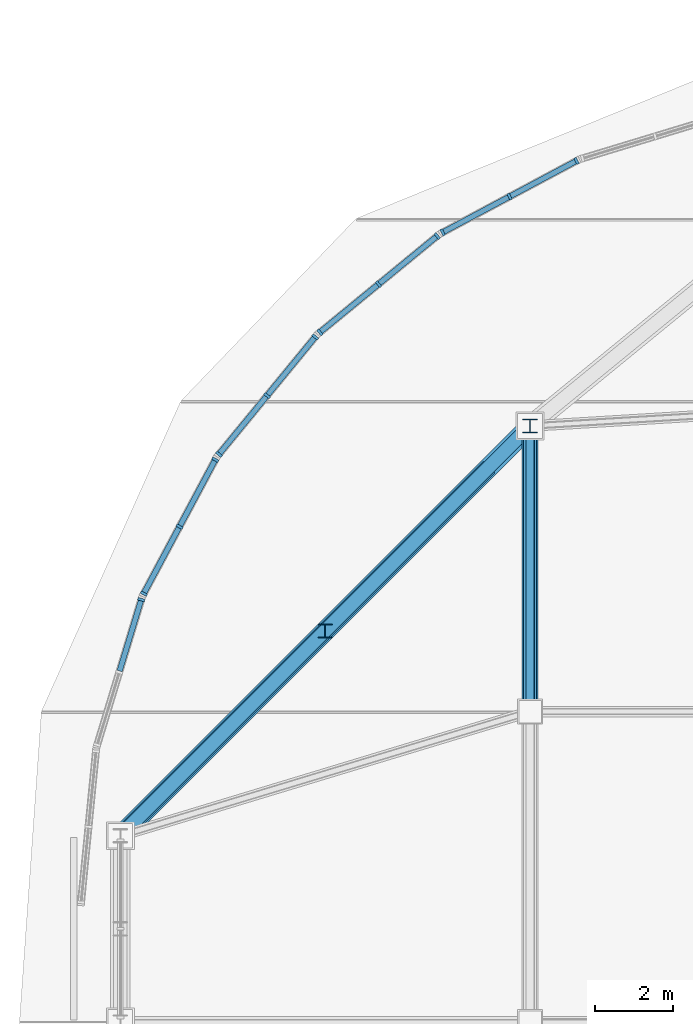
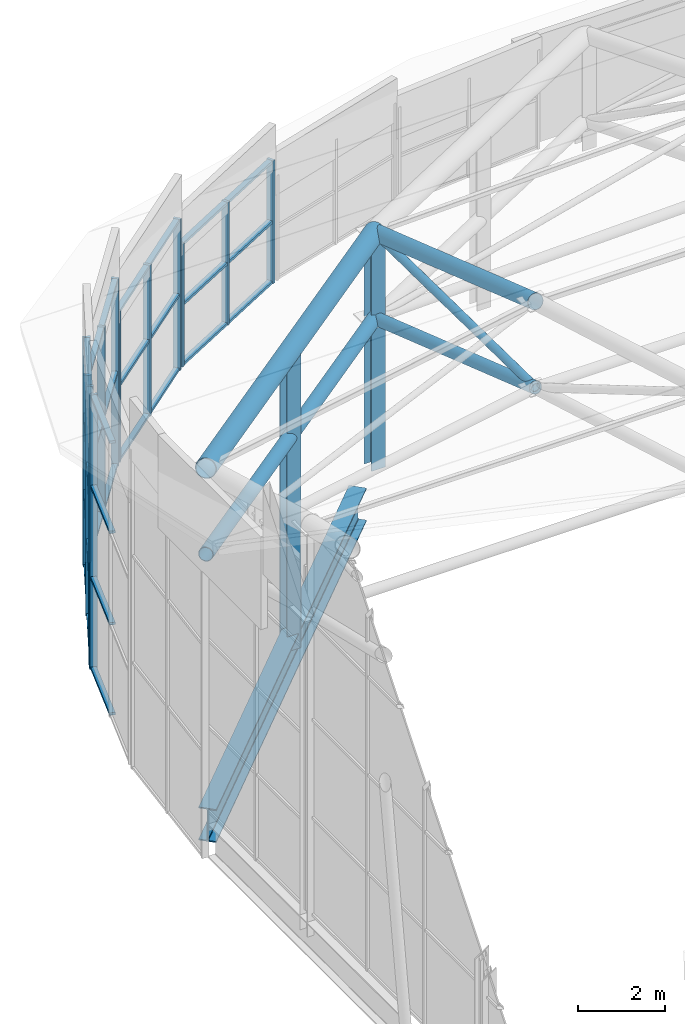
# One storey, part 21 of 42: 50 members, 1 beam, 5 elements without a shape of their own.
"""IFC4 building model written with IfcOpenShell, lengths in metres."""

from ifc_helpers import new_model, si_unit, direction, frame, origin, origin_2d, place, context, subcontext, project, spatial, rectangle, hollow_circle, i_section, extrude, material, layer, layer_set, material_profile, profile_set, type_object, element, aggregate, save


model = new_model("IFC4")

# Units and contexts
model_context = context("Model", 3, precision=1e-05, world=origin(), true_north=direction((0.0, 1.0)))
body_context = subcontext(model_context, "Body", "Model", "MODEL_VIEW")
ifc_project = project(units=[si_unit("LENGTHUNIT", "METRE"), si_unit("AREAUNIT", "SQUARE_METRE"), si_unit("VOLUMEUNIT", "CUBIC_METRE"), si_unit("PLANEANGLEUNIT", "RADIAN"), si_unit("MASSUNIT", "GRAM", prefix="KILO")], contexts=[model_context])

# Site, building, storey
site_placement = place(None, origin())
site = spatial("IfcSite", under=ifc_project, at=site_placement, CompositionType="ELEMENT")
building_placement = place(site_placement, origin())
building = spatial("IfcBuilding", under=site, at=building_placement, Name="Caelomonte Colonnade Arena", CompositionType="ELEMENT")
storey_placement = place(building_placement, frame((0.0, 0.0, 28.199951171875)))
storey = spatial("IfcBuildingStorey", under=building, at=storey_placement, Name="RF", CompositionType="ELEMENT", Elevation=28.199951171875)

# Curtain wall, members
ifc_material_1 = material(Name="Bronze anodised aluminium and low-E glazing", Category="aluminium")
ifc_layer_1 = layer(ifc_material_1, 0.179931640625)
ifc_layer_set_1 = layer_set([ifc_layer_1], Name="Bronze anodised aluminium and low-E glazing")
curtain_wall_type_1 = type_object("IfcCurtainWallType", Name="ENV-CW-CW-TYMPC-03-34", PredefinedType="USERDEFINED", material=ifc_layer_set_1)
curtain_wall_1_placement = place(storey_placement, origin())
curtain_wall_1 = element("IfcCurtainWall", 1, at=curtain_wall_1_placement, inside=storey, type_object=curtain_wall_type_1, Name="Barrel arch rounded corner clerestory curtain wall 19", ObjectType="UNITIZED CURTAIN WALL", PredefinedType="USERDEFINED")
ifc_material_2 = material(Name="Bronze anodised aluminium AA6063-T6", Category="aluminium")
ifc_material_profile_1 = material_profile(ifc_material_2, rectangle(XDim=0.070068359375, YDim=0.179931640625, at=origin_2d()), Name="CWM-70X180")
ifc_profile_set_1 = profile_set([ifc_material_profile_1], Name="Bronze anodised aluminium AA6063-T6")
member_type_1 = type_object("IfcMemberType", Name="ENV-CW-MULL1", PredefinedType="MULLION", material=ifc_profile_set_1)
member_1_placement = place(storey_placement, frame((69.357421875, 113.39501953125, -0.14990234375), z_axis=(0.0, 0.0, 1.0), x_axis=(-0.881924283795, -0.471391087795, 0.0)))
member_1 = element("IfcMember", 2, at=member_1_placement, type_object=member_type_1, Name="CW-TYMPC-03-34 mullion 1", PredefinedType="MULLION", context=body_context, shape_type="SweptSolid", body=[
    extrude(rectangle(XDim=0.070068359375, YDim=0.179931640625, at=origin_2d()), origin(), (0.0, 0.0, 1.0), 3.43994140625),
])
member_2_placement = place(storey_placement, frame((67.6328125, 112.47314453125, -0.14990234375), z_axis=(0.0, 0.0, 1.0), x_axis=(-0.881924283795, -0.471391087795, 0.0)))
member_2 = element("IfcMember", 3, at=member_2_placement, type_object=member_type_1, Name="CW-TYMPC-03-34 mullion 2", PredefinedType="MULLION", context=body_context, shape_type="SweptSolid", body=[
    extrude(rectangle(XDim=0.070068359375, YDim=0.179931640625, at=origin_2d()), origin(), (0.0, 0.0, 1.0), 3.43994140625),
])
member_3_placement = place(storey_placement, frame((65.907958984375, 111.55126953125, -0.14990234375), z_axis=(0.0, 0.0, 1.0), x_axis=(-0.881924283795, -0.471391087795, 0.0)))
member_3 = element("IfcMember", 4, at=member_3_placement, type_object=member_type_1, Name="CW-TYMPC-03-34 mullion 3", PredefinedType="MULLION", context=body_context, shape_type="SweptSolid", body=[
    extrude(rectangle(XDim=0.070068359375, YDim=0.179931640625, at=origin_2d()), origin(), (0.0, 0.0, 1.0), 3.43994140625),
])

ifc_layer_2 = layer(ifc_material_1, 0.179931640625)
ifc_layer_set_2 = layer_set([ifc_layer_2], Name="Bronze anodised aluminium and low-E glazing")
curtain_wall_type_2 = type_object("IfcCurtainWallType", Name="ENV-CW-CW-TYMPC-04-42", PredefinedType="USERDEFINED", material=ifc_layer_set_2)
curtain_wall_2_placement = place(storey_placement, origin())
curtain_wall_2 = element("IfcCurtainWall", 5, at=curtain_wall_2_placement, inside=storey, type_object=curtain_wall_type_2, Name="Barrel arch rounded corner clerestory curtain wall 20", ObjectType="UNITIZED CURTAIN WALL", PredefinedType="USERDEFINED")
member_4_placement = place(storey_placement, frame((65.767333984375, 111.457275390625, -0.14990234375), z_axis=(0.0, 0.0, 1.0), x_axis=(-0.773000731835, -0.634405129694, 0.0)))
member_4 = element("IfcMember", 6, at=member_4_placement, type_object=member_type_1, Name="CW-TYMPC-04-42 mullion 1", PredefinedType="MULLION", context=body_context, shape_type="SweptSolid", body=[
    extrude(rectangle(XDim=0.070068359375, YDim=0.179931640625, at=origin_2d()), origin(), (0.0, 0.0, 1.0), 4.222412109375),
])
member_5_placement = place(storey_placement, frame((64.255615234375, 110.216552734375, -0.14990234375), z_axis=(0.0, 0.0, 1.0), x_axis=(-0.773000731835, -0.634405129694, 0.0)))
member_5 = element("IfcMember", 7, at=member_5_placement, type_object=member_type_1, Name="CW-TYMPC-04-42 mullion 2", PredefinedType="MULLION", context=body_context, shape_type="SweptSolid", body=[
    extrude(rectangle(XDim=0.070068359375, YDim=0.179931640625, at=origin_2d()), origin(), (0.0, 0.0, 1.0), 4.222412109375),
])
member_6_placement = place(storey_placement, frame((62.74365234375, 108.975830078125, -0.14990234375), z_axis=(0.0, 0.0, 1.0), x_axis=(-0.773000731835, -0.634405129694, 0.0)))
member_6 = element("IfcMember", 8, at=member_6_placement, type_object=member_type_1, Name="CW-TYMPC-04-42 mullion 3", PredefinedType="MULLION", context=body_context, shape_type="SweptSolid", body=[
    extrude(rectangle(XDim=0.070068359375, YDim=0.179931640625, at=origin_2d()), origin(), (0.0, 0.0, 1.0), 4.222412109375),
])

ifc_layer_3 = layer(ifc_material_1, 0.179931640625)
ifc_layer_set_3 = layer_set([ifc_layer_3], Name="Bronze anodised aluminium and low-E glazing")
curtain_wall_type_3 = type_object("IfcCurtainWallType", Name="ENV-CW-CW-TYMPC-04-52", PredefinedType="USERDEFINED", material=ifc_layer_set_3)
curtain_wall_3_placement = place(storey_placement, origin())
curtain_wall_3 = element("IfcCurtainWall", 9, at=curtain_wall_3_placement, inside=storey, type_object=curtain_wall_type_3, Name="Barrel arch rounded corner clerestory curtain wall 21", ObjectType="UNITIZED CURTAIN WALL", PredefinedType="USERDEFINED")
member_7_placement = place(storey_placement, frame((62.6240234375, 108.856201171875, -0.14990234375), z_axis=(0.0, 0.0, 1.0), x_axis=(-0.634405129694, -0.773000731835, 0.0)))
member_7 = element("IfcMember", 10, at=member_7_placement, type_object=member_type_1, Name="CW-TYMPC-04-52 mullion 1", PredefinedType="MULLION", context=body_context, shape_type="SweptSolid", body=[
    extrude(rectangle(XDim=0.070068359375, YDim=0.179931640625, at=origin_2d()), origin(), (0.0, 0.0, 1.0), 5.236083984375),
])
member_8_placement = place(storey_placement, frame((61.38330078125, 107.344482421875, -0.14990234375), z_axis=(0.0, 0.0, 1.0), x_axis=(-0.634405129694, -0.773000731835, 0.0)))
member_8 = element("IfcMember", 11, at=member_8_placement, type_object=member_type_1, Name="CW-TYMPC-04-52 mullion 2", PredefinedType="MULLION", context=body_context, shape_type="SweptSolid", body=[
    extrude(rectangle(XDim=0.070068359375, YDim=0.179931640625, at=origin_2d()), origin(), (0.0, 0.0, 1.0), 5.236083984375),
])
member_9_placement = place(storey_placement, frame((60.142822265625, 105.832763671875, -0.14990234375), z_axis=(0.0, 0.0, 1.0), x_axis=(-0.634405129694, -0.773000731835, 0.0)))
member_9 = element("IfcMember", 12, at=member_9_placement, type_object=member_type_1, Name="CW-TYMPC-04-52 mullion 3", PredefinedType="MULLION", context=body_context, shape_type="SweptSolid", body=[
    extrude(rectangle(XDim=0.070068359375, YDim=0.179931640625, at=origin_2d()), origin(), (0.0, 0.0, 1.0), 5.236083984375),
])

ifc_layer_4 = layer(ifc_material_1, 0.179931640625)
ifc_layer_set_4 = layer_set([ifc_layer_4], Name="Bronze anodised aluminium and low-E glazing")
curtain_wall_type_4 = type_object("IfcCurtainWallType", Name="ENV-CW-CW-TYMPC-03-64", PredefinedType="USERDEFINED", material=ifc_layer_set_4)
curtain_wall_4_placement = place(storey_placement, origin())
curtain_wall_4 = element("IfcCurtainWall", 13, at=curtain_wall_4_placement, inside=storey, type_object=curtain_wall_type_4, Name="Barrel arch rounded corner clerestory curtain wall 22", ObjectType="UNITIZED CURTAIN WALL", PredefinedType="USERDEFINED")
member_10_placement = place(storey_placement, frame((60.048583984375, 105.692138671875, -0.14990234375), z_axis=(0.0, 0.0, 1.0), x_axis=(-0.471391087795, -0.881924283795, 0.0)))
member_10 = element("IfcMember", 14, at=member_10_placement, type_object=member_type_1, Name="CW-TYMPC-03-64 mullion 1", PredefinedType="MULLION", context=body_context, shape_type="SweptSolid", body=[
    extrude(rectangle(XDim=0.070068359375, YDim=0.179931640625, at=origin_2d()), origin(), (0.0, 0.0, 1.0), 6.40966796875),
])
member_11_placement = place(storey_placement, frame((59.126708984375, 103.96728515625, -0.14990234375), z_axis=(0.0, 0.0, 1.0), x_axis=(-0.471391087795, -0.881924283795, 0.0)))
member_11 = element("IfcMember", 15, at=member_11_placement, type_object=member_type_1, Name="CW-TYMPC-03-64 mullion 2", PredefinedType="MULLION", context=body_context, shape_type="SweptSolid", body=[
    extrude(rectangle(XDim=0.070068359375, YDim=0.179931640625, at=origin_2d()), origin(), (0.0, 0.0, 1.0), 6.40966796875),
])
member_12_placement = place(storey_placement, frame((58.204833984375, 102.242431640625, -0.14990234375), z_axis=(0.0, 0.0, 1.0), x_axis=(-0.471391087795, -0.881924283795, 0.0)))
member_12 = element("IfcMember", 16, at=member_12_placement, type_object=member_type_1, Name="CW-TYMPC-03-64 mullion 3", PredefinedType="MULLION", context=body_context, shape_type="SweptSolid", body=[
    extrude(rectangle(XDim=0.070068359375, YDim=0.179931640625, at=origin_2d()), origin(), (0.0, 0.0, 1.0), 6.40966796875),
])

# Curtain wall, member
ifc_layer_5 = layer(ifc_material_1, 0.179931640625)
ifc_layer_set_5 = layer_set([ifc_layer_5], Name="Bronze anodised aluminium and low-E glazing")
curtain_wall_type_5 = type_object("IfcCurtainWallType", Name="ENV-CW-CW-TYMPC-02-77", PredefinedType="USERDEFINED", material=ifc_layer_set_5)
curtain_wall_5_placement = place(storey_placement, origin())
curtain_wall_5 = element("IfcCurtainWall", 17, at=curtain_wall_5_placement, inside=storey, type_object=curtain_wall_type_5, Name="Barrel arch rounded corner clerestory curtain wall 23", ObjectType="UNITIZED CURTAIN WALL", PredefinedType="USERDEFINED")
member_13_placement = place(storey_placement, frame((58.14013671875, 102.086181640625, -0.14990234375), z_axis=(0.0, 0.0, 1.0), x_axis=(-0.290266004632, -0.956945999811, 0.0)))
member_13 = element("IfcMember", 18, at=member_13_placement, type_object=member_type_1, Name="CW-TYMPC-02-77 mullion 1", PredefinedType="MULLION", context=body_context, shape_type="SweptSolid", body=[
    extrude(rectangle(XDim=0.070068359375, YDim=0.179931640625, at=origin_2d()), origin(), (0.0, 0.0, 1.0), 7.666259765625),
])

# Member
ifc_material_profile_2 = material_profile(ifc_material_2, rectangle(XDim=0.070068359375, YDim=0.139892578125, at=origin_2d()), Name="CWT-70X140")
ifc_profile_set_2 = profile_set([ifc_material_profile_2], Name="Bronze anodised aluminium AA6063-T6")
member_type_2 = type_object("IfcMemberType", Name="ENV-CW-TRAN1", PredefinedType="USERDEFINED", material=ifc_profile_set_2)
member_14_placement = place(storey_placement, frame((69.32666015625, 113.378662109375, -0.114990234375), z_axis=(-0.881926100802, -0.471387688347, 0.0), x_axis=(0.0, 0.0, 1.0)))
member_14 = element("IfcMember", 19, at=member_14_placement, type_object=member_type_2, Name="CW-TYMPC-03-34 transom 1.1", ObjectType="TRANSOM", PredefinedType="USERDEFINED", context=body_context, shape_type="SweptSolid", body=[
    extrude(rectangle(XDim=0.070068359375, YDim=0.139892578125, at=origin_2d()), origin(), (0.0, 0.0, 1.0), 1.8857421875),
])

member_15_placement = place(storey_placement, frame((69.32666015625, 113.378662109375, 1.570068359375), z_axis=(-0.881926100802, -0.471387688347, 0.0), x_axis=(0.0, 0.0, 1.0)))
member_15 = element("IfcMember", 20, at=member_15_placement, type_object=member_type_2, Name="CW-TYMPC-03-34 transom 1.2", ObjectType="TRANSOM", PredefinedType="USERDEFINED", context=body_context, shape_type="SweptSolid", body=[
    extrude(rectangle(XDim=0.070068359375, YDim=0.139892578125, at=origin_2d()), origin(), (0.0, 0.0, 1.0), 1.8857421875),
])

member_16_placement = place(storey_placement, frame((69.32666015625, 113.378662109375, 3.2548828125), z_axis=(-0.881926100802, -0.471387688347, 0.0), x_axis=(0.0, 0.0, 1.0)))
member_16 = element("IfcMember", 21, at=member_16_placement, type_object=member_type_2, Name="CW-TYMPC-03-34 transom 1.3", ObjectType="TRANSOM", PredefinedType="USERDEFINED", context=body_context, shape_type="SweptSolid", body=[
    extrude(rectangle(XDim=0.070068359375, YDim=0.139892578125, at=origin_2d()), origin(), (0.0, 0.0, 1.0), 1.8857421875),
])

member_17_placement = place(storey_placement, frame((67.601806640625, 112.456787109375, -0.114990234375), z_axis=(-0.881926100802, -0.471387688347, 0.0), x_axis=(0.0, 0.0, 1.0)))
member_17 = element("IfcMember", 22, at=member_17_placement, type_object=member_type_2, Name="CW-TYMPC-03-34 transom 2.1", ObjectType="TRANSOM", PredefinedType="USERDEFINED", context=body_context, shape_type="SweptSolid", body=[
    extrude(rectangle(XDim=0.070068359375, YDim=0.139892578125, at=origin_2d()), origin(), (0.0, 0.0, 1.0), 1.8857421875),
])

member_18_placement = place(storey_placement, frame((67.601806640625, 112.456787109375, 1.570068359375), z_axis=(-0.881926100802, -0.471387688347, 0.0), x_axis=(0.0, 0.0, 1.0)))
member_18 = element("IfcMember", 23, at=member_18_placement, type_object=member_type_2, Name="CW-TYMPC-03-34 transom 2.2", ObjectType="TRANSOM", PredefinedType="USERDEFINED", context=body_context, shape_type="SweptSolid", body=[
    extrude(rectangle(XDim=0.070068359375, YDim=0.139892578125, at=origin_2d()), origin(), (0.0, 0.0, 1.0), 1.8857421875),
])

member_19_placement = place(storey_placement, frame((67.601806640625, 112.456787109375, 3.2548828125), z_axis=(-0.881926100802, -0.471387688347, 0.0), x_axis=(0.0, 0.0, 1.0)))
member_19 = element("IfcMember", 24, at=member_19_placement, type_object=member_type_2, Name="CW-TYMPC-03-34 transom 2.3", ObjectType="TRANSOM", PredefinedType="USERDEFINED", context=body_context, shape_type="SweptSolid", body=[
    extrude(rectangle(XDim=0.070068359375, YDim=0.139892578125, at=origin_2d()), origin(), (0.0, 0.0, 1.0), 1.8857421875),
])

aggregate(curtain_wall_1, [member_1, member_2, member_3, member_14, member_15, member_16, member_17, member_18, member_19])

member_20_placement = place(storey_placement, frame((65.740234375, 111.43505859375, -0.114990234375), z_axis=(-0.773027789123, -0.63437215989, 0.0), x_axis=(0.0, 0.0, 1.0)))
member_20 = element("IfcMember", 25, at=member_20_placement, type_object=member_type_2, Name="CW-TYMPC-04-42 transom 1.1", ObjectType="TRANSOM", PredefinedType="USERDEFINED", context=body_context, shape_type="SweptSolid", body=[
    extrude(rectangle(XDim=0.070068359375, YDim=0.139892578125, at=origin_2d()), origin(), (0.0, 0.0, 1.0), 1.8857421875),
])

member_21_placement = place(storey_placement, frame((65.740234375, 111.43505859375, 1.96142578125), z_axis=(-0.773027789123, -0.63437215989, 0.0), x_axis=(0.0, 0.0, 1.0)))
member_21 = element("IfcMember", 26, at=member_21_placement, type_object=member_type_2, Name="CW-TYMPC-04-42 transom 1.2", ObjectType="TRANSOM", PredefinedType="USERDEFINED", context=body_context, shape_type="SweptSolid", body=[
    extrude(rectangle(XDim=0.070068359375, YDim=0.139892578125, at=origin_2d()), origin(), (0.0, 0.0, 1.0), 1.8857421875),
])

member_22_placement = place(storey_placement, frame((65.740234375, 111.43505859375, 4.03759765625), z_axis=(-0.773027789123, -0.63437215989, 0.0), x_axis=(0.0, 0.0, 1.0)))
member_22 = element("IfcMember", 27, at=member_22_placement, type_object=member_type_2, Name="CW-TYMPC-04-42 transom 1.3", ObjectType="TRANSOM", PredefinedType="USERDEFINED", context=body_context, shape_type="SweptSolid", body=[
    extrude(rectangle(XDim=0.070068359375, YDim=0.139892578125, at=origin_2d()), origin(), (0.0, 0.0, 1.0), 1.8857421875),
])

member_23_placement = place(storey_placement, frame((64.228515625, 110.1943359375, -0.114990234375), z_axis=(-0.773027789123, -0.63437215989, 0.0), x_axis=(0.0, 0.0, 1.0)))
member_23 = element("IfcMember", 28, at=member_23_placement, type_object=member_type_2, Name="CW-TYMPC-04-42 transom 2.1", ObjectType="TRANSOM", PredefinedType="USERDEFINED", context=body_context, shape_type="SweptSolid", body=[
    extrude(rectangle(XDim=0.070068359375, YDim=0.139892578125, at=origin_2d()), origin(), (0.0, 0.0, 1.0), 1.8857421875),
])

member_24_placement = place(storey_placement, frame((64.228515625, 110.1943359375, 1.96142578125), z_axis=(-0.773027789123, -0.63437215989, 0.0), x_axis=(0.0, 0.0, 1.0)))
member_24 = element("IfcMember", 29, at=member_24_placement, type_object=member_type_2, Name="CW-TYMPC-04-42 transom 2.2", ObjectType="TRANSOM", PredefinedType="USERDEFINED", context=body_context, shape_type="SweptSolid", body=[
    extrude(rectangle(XDim=0.070068359375, YDim=0.139892578125, at=origin_2d()), origin(), (0.0, 0.0, 1.0), 1.8857421875),
])

member_25_placement = place(storey_placement, frame((64.228515625, 110.1943359375, 4.03759765625), z_axis=(-0.773027789123, -0.63437215989, 0.0), x_axis=(0.0, 0.0, 1.0)))
member_25 = element("IfcMember", 30, at=member_25_placement, type_object=member_type_2, Name="CW-TYMPC-04-42 transom 2.3", ObjectType="TRANSOM", PredefinedType="USERDEFINED", context=body_context, shape_type="SweptSolid", body=[
    extrude(rectangle(XDim=0.070068359375, YDim=0.139892578125, at=origin_2d()), origin(), (0.0, 0.0, 1.0), 1.8857421875),
])

aggregate(curtain_wall_2, [member_4, member_5, member_6, member_20, member_21, member_22, member_23, member_24, member_25])

member_26_placement = place(storey_placement, frame((62.601806640625, 108.8291015625, -0.114990234375), z_axis=(-0.634435651463, -0.772975681476, 0.0), x_axis=(0.0, 0.0, 1.0)))
member_26 = element("IfcMember", 31, at=member_26_placement, type_object=member_type_2, Name="CW-TYMPC-04-52 transom 1.1", ObjectType="TRANSOM", PredefinedType="USERDEFINED", context=body_context, shape_type="SweptSolid", body=[
    extrude(rectangle(XDim=0.070068359375, YDim=0.139892578125, at=origin_2d()), origin(), (0.0, 0.0, 1.0), 1.885498046875),
])

member_27_placement = place(storey_placement, frame((62.601806640625, 108.8291015625, 2.46826171875), z_axis=(-0.634435651463, -0.772975681476, 0.0), x_axis=(0.0, 0.0, 1.0)))
member_27 = element("IfcMember", 32, at=member_27_placement, type_object=member_type_2, Name="CW-TYMPC-04-52 transom 1.2", ObjectType="TRANSOM", PredefinedType="USERDEFINED", context=body_context, shape_type="SweptSolid", body=[
    extrude(rectangle(XDim=0.070068359375, YDim=0.139892578125, at=origin_2d()), origin(), (0.0, 0.0, 1.0), 1.885498046875),
])

member_28_placement = place(storey_placement, frame((62.601806640625, 108.8291015625, 5.05126953125), z_axis=(-0.634435651463, -0.772975681476, 0.0), x_axis=(0.0, 0.0, 1.0)))
member_28 = element("IfcMember", 33, at=member_28_placement, type_object=member_type_2, Name="CW-TYMPC-04-52 transom 1.3", ObjectType="TRANSOM", PredefinedType="USERDEFINED", context=body_context, shape_type="SweptSolid", body=[
    extrude(rectangle(XDim=0.070068359375, YDim=0.139892578125, at=origin_2d()), origin(), (0.0, 0.0, 1.0), 1.885498046875),
])

member_29_placement = place(storey_placement, frame((61.361083984375, 107.3173828125, -0.114990234375), z_axis=(-0.634435651463, -0.772975681476, 0.0), x_axis=(0.0, 0.0, 1.0)))
member_29 = element("IfcMember", 34, at=member_29_placement, type_object=member_type_2, Name="CW-TYMPC-04-52 transom 2.1", ObjectType="TRANSOM", PredefinedType="USERDEFINED", context=body_context, shape_type="SweptSolid", body=[
    extrude(rectangle(XDim=0.070068359375, YDim=0.139892578125, at=origin_2d()), origin(), (0.0, 0.0, 1.0), 1.885498046875),
])

member_30_placement = place(storey_placement, frame((61.361083984375, 107.3173828125, 2.46826171875), z_axis=(-0.634435651463, -0.772975681476, 0.0), x_axis=(0.0, 0.0, 1.0)))
member_30 = element("IfcMember", 35, at=member_30_placement, type_object=member_type_2, Name="CW-TYMPC-04-52 transom 2.2", ObjectType="TRANSOM", PredefinedType="USERDEFINED", context=body_context, shape_type="SweptSolid", body=[
    extrude(rectangle(XDim=0.070068359375, YDim=0.139892578125, at=origin_2d()), origin(), (0.0, 0.0, 1.0), 1.885498046875),
])

member_31_placement = place(storey_placement, frame((61.361083984375, 107.3173828125, 5.05126953125), z_axis=(-0.634435651463, -0.772975681476, 0.0), x_axis=(0.0, 0.0, 1.0)))
member_31 = element("IfcMember", 36, at=member_31_placement, type_object=member_type_2, Name="CW-TYMPC-04-52 transom 2.3", ObjectType="TRANSOM", PredefinedType="USERDEFINED", context=body_context, shape_type="SweptSolid", body=[
    extrude(rectangle(XDim=0.070068359375, YDim=0.139892578125, at=origin_2d()), origin(), (0.0, 0.0, 1.0), 1.885498046875),
])

aggregate(curtain_wall_3, [member_7, member_8, member_9, member_26, member_27, member_28, member_29, member_30, member_31])

member_32_placement = place(storey_placement, frame((60.0322265625, 105.6611328125, -0.114990234375), z_axis=(-0.471387688347, -0.881926100802, 0.0), x_axis=(0.0, 0.0, 1.0)))
member_32 = element("IfcMember", 37, at=member_32_placement, type_object=member_type_2, Name="CW-TYMPC-03-64 transom 1.1", ObjectType="TRANSOM", PredefinedType="USERDEFINED", context=body_context, shape_type="SweptSolid", body=[
    extrude(rectangle(XDim=0.070068359375, YDim=0.139892578125, at=origin_2d()), origin(), (0.0, 0.0, 1.0), 1.8857421875),
])

member_33_placement = place(storey_placement, frame((60.0322265625, 105.6611328125, 1.986572265625), z_axis=(-0.471387688347, -0.881926100802, 0.0), x_axis=(0.0, 0.0, 1.0)))
member_33 = element("IfcMember", 38, at=member_33_placement, type_object=member_type_2, Name="CW-TYMPC-03-64 transom 1.2", ObjectType="TRANSOM", PredefinedType="USERDEFINED", context=body_context, shape_type="SweptSolid", body=[
    extrude(rectangle(XDim=0.070068359375, YDim=0.139892578125, at=origin_2d()), origin(), (0.0, 0.0, 1.0), 1.8857421875),
])

member_34_placement = place(storey_placement, frame((60.0322265625, 105.6611328125, 4.123046875), z_axis=(-0.471387688347, -0.881926100802, 0.0), x_axis=(0.0, 0.0, 1.0)))
member_34 = element("IfcMember", 39, at=member_34_placement, type_object=member_type_2, Name="CW-TYMPC-03-64 transom 1.3", ObjectType="TRANSOM", PredefinedType="USERDEFINED", context=body_context, shape_type="SweptSolid", body=[
    extrude(rectangle(XDim=0.070068359375, YDim=0.139892578125, at=origin_2d()), origin(), (0.0, 0.0, 1.0), 1.8857421875),
])

member_35_placement = place(storey_placement, frame((60.0322265625, 105.6611328125, 6.224853515625), z_axis=(-0.471387688347, -0.881926100802, 0.0), x_axis=(0.0, 0.0, 1.0)))
member_35 = element("IfcMember", 40, at=member_35_placement, type_object=member_type_2, Name="CW-TYMPC-03-64 transom 1.4", ObjectType="TRANSOM", PredefinedType="USERDEFINED", context=body_context, shape_type="SweptSolid", body=[
    extrude(rectangle(XDim=0.070068359375, YDim=0.139892578125, at=origin_2d()), origin(), (0.0, 0.0, 1.0), 1.8857421875),
])

member_36_placement = place(storey_placement, frame((59.1103515625, 103.936279296875, -0.114990234375), z_axis=(-0.471441516626, -0.881897327585, 0.0), x_axis=(0.0, 0.0, 1.0)))
member_36 = element("IfcMember", 41, at=member_36_placement, type_object=member_type_2, Name="CW-TYMPC-03-64 transom 2.1", ObjectType="TRANSOM", PredefinedType="USERDEFINED", context=body_context, shape_type="SweptSolid", body=[
    extrude(rectangle(XDim=0.070068359375, YDim=0.139892578125, at=origin_2d()), origin(), (0.0, 0.0, 1.0), 1.885498046875),
])

member_37_placement = place(storey_placement, frame((59.1103515625, 103.936279296875, 1.986572265625), z_axis=(-0.471441516626, -0.881897327585, 0.0), x_axis=(0.0, 0.0, 1.0)))
member_37 = element("IfcMember", 42, at=member_37_placement, type_object=member_type_2, Name="CW-TYMPC-03-64 transom 2.2", ObjectType="TRANSOM", PredefinedType="USERDEFINED", context=body_context, shape_type="SweptSolid", body=[
    extrude(rectangle(XDim=0.070068359375, YDim=0.139892578125, at=origin_2d()), origin(), (0.0, 0.0, 1.0), 1.885498046875),
])

member_38_placement = place(storey_placement, frame((59.1103515625, 103.936279296875, 4.123046875), z_axis=(-0.471441516626, -0.881897327585, 0.0), x_axis=(0.0, 0.0, 1.0)))
member_38 = element("IfcMember", 43, at=member_38_placement, type_object=member_type_2, Name="CW-TYMPC-03-64 transom 2.3", ObjectType="TRANSOM", PredefinedType="USERDEFINED", context=body_context, shape_type="SweptSolid", body=[
    extrude(rectangle(XDim=0.070068359375, YDim=0.139892578125, at=origin_2d()), origin(), (0.0, 0.0, 1.0), 1.885498046875),
])

member_39_placement = place(storey_placement, frame((59.1103515625, 103.936279296875, 6.224853515625), z_axis=(-0.471441516626, -0.881897327585, 0.0), x_axis=(0.0, 0.0, 1.0)))
member_39 = element("IfcMember", 44, at=member_39_placement, type_object=member_type_2, Name="CW-TYMPC-03-64 transom 2.4", ObjectType="TRANSOM", PredefinedType="USERDEFINED", context=body_context, shape_type="SweptSolid", body=[
    extrude(rectangle(XDim=0.070068359375, YDim=0.139892578125, at=origin_2d()), origin(), (0.0, 0.0, 1.0), 1.885498046875),
])

aggregate(curtain_wall_4, [member_10, member_11, member_12, member_32, member_33, member_34, member_35, member_36, member_37, member_38, member_39])

member_40_placement = place(storey_placement, frame((58.1298828125, 102.052734375, -0.114990234375), z_axis=(-0.29024452618, -0.956952514508, 0.0), x_axis=(0.0, 0.0, 1.0)))
member_40 = element("IfcMember", 45, at=member_40_placement, type_object=member_type_2, Name="CW-TYMPC-02-77 transom 1.1", ObjectType="TRANSOM", PredefinedType="USERDEFINED", context=body_context, shape_type="SweptSolid", body=[
    extrude(rectangle(XDim=0.070068359375, YDim=0.139892578125, at=origin_2d()), origin(), (0.0, 0.0, 1.0), 1.885986328125),
])

member_41_placement = place(storey_placement, frame((58.1298828125, 102.052734375, 2.405517578125), z_axis=(-0.29024452618, -0.956952514508, 0.0), x_axis=(0.0, 0.0, 1.0)))
member_41 = element("IfcMember", 46, at=member_41_placement, type_object=member_type_2, Name="CW-TYMPC-02-77 transom 1.2", ObjectType="TRANSOM", PredefinedType="USERDEFINED", context=body_context, shape_type="SweptSolid", body=[
    extrude(rectangle(XDim=0.070068359375, YDim=0.139892578125, at=origin_2d()), origin(), (0.0, 0.0, 1.0), 1.885986328125),
])

member_42_placement = place(storey_placement, frame((58.1298828125, 102.052734375, 4.9609375), z_axis=(-0.29024452618, -0.956952514508, 0.0), x_axis=(0.0, 0.0, 1.0)))
member_42 = element("IfcMember", 47, at=member_42_placement, type_object=member_type_2, Name="CW-TYMPC-02-77 transom 1.3", ObjectType="TRANSOM", PredefinedType="USERDEFINED", context=body_context, shape_type="SweptSolid", body=[
    extrude(rectangle(XDim=0.070068359375, YDim=0.139892578125, at=origin_2d()), origin(), (0.0, 0.0, 1.0), 1.885986328125),
])

member_43_placement = place(storey_placement, frame((58.1298828125, 102.052734375, 7.481201171875), z_axis=(-0.29024452618, -0.956952514508, 0.0), x_axis=(0.0, 0.0, 1.0)))
member_43 = element("IfcMember", 48, at=member_43_placement, type_object=member_type_2, Name="CW-TYMPC-02-77 transom 1.4", ObjectType="TRANSOM", PredefinedType="USERDEFINED", context=body_context, shape_type="SweptSolid", body=[
    extrude(rectangle(XDim=0.070068359375, YDim=0.139892578125, at=origin_2d()), origin(), (0.0, 0.0, 1.0), 1.885986328125),
])

aggregate(curtain_wall_5, [member_13, member_40, member_41, member_42, member_43])

# Beam
ifc_material_3 = material(Name="Wide-flange steel ASTM A992 Grade 50", Category="steel")
ifc_material_profile_3 = material_profile(ifc_material_3, i_section(OverallWidth=0.418212890625, OverallDepth=0.927001953125, WebThickness=0.019287109375, FlangeThickness=0.031982421875, FilletRadius=0.024169921875, at=origin_2d()), Name="W36X231")
ifc_profile_set_3 = profile_set([ifc_material_profile_3], Name="Wide-flange steel ASTM A992 Grade 50")
beam_type = type_object("IfcBeamType", Name="STR-BM-EAVES1", PredefinedType="SPANDREL", material=ifc_profile_set_3)
beam_placement = place(storey_placement, frame((67.097900390625, 105.497802734375, -0.743408203125), z_axis=(-0.707106781187, -0.707106781187, 0.0), x_axis=(0.707106781187, -0.707106781187, 0.0)))
element("IfcBeam", 49, at=beam_placement, inside=storey, type_object=beam_type, Name="RF drum corner ring girder 8", PredefinedType="SPANDREL", context=body_context, shape_type="SweptSolid", body=[
    extrude(i_section(OverallWidth=0.418212890625, OverallDepth=0.927001953125, WebThickness=0.019287109375, FlangeThickness=0.031982421875, FilletRadius=0.024169921875, at=origin_2d()), origin(), (0.0, 0.0, 1.0), 13.28759765625),
])

# Members
ifc_material_profile_4 = material_profile(ifc_material_3, i_section(OverallWidth=0.368896484375, OverallDepth=0.356201171875, WebThickness=0.01123046875, FlangeThickness=0.01806640625, FilletRadius=0.01513671875, at=origin_2d()), Name="W14X90")
ifc_profile_set_4 = profile_set([ifc_material_profile_4], Name="Wide-flange steel ASTM A992 Grade 50")
member_type_3 = type_object("IfcMemberType", Name="STR-CAT-STR", PredefinedType="STRUT", material=ifc_profile_set_4)
member_44_placement = place(storey_placement, frame((68.159912109375, 106.56005859375, -0.699951171875), z_axis=(0.0, 0.0, 1.0), x_axis=(1.0, 0.0, 0.0)))
element("IfcMember", 50, at=member_44_placement, inside=storey, type_object=member_type_3, Name="Roof truss eaves bearing post 1-11", PredefinedType="STRUT", context=body_context, shape_type="SweptSolid", body=[
    extrude(i_section(OverallWidth=0.368896484375, OverallDepth=0.356201171875, WebThickness=0.01123046875, FlangeThickness=0.01806640625, FilletRadius=0.01513671875, at=origin_2d()), origin(), (0.0, 0.0, 1.0), 6.52099609375),
])
member_45_placement = place(storey_placement, frame((62.8798828125, 101.280029296875, -0.699951171875), z_axis=(0.0, 0.0, 1.0), x_axis=(1.0, 0.0, 0.0)))
element("IfcMember", 51, at=member_45_placement, inside=storey, type_object=member_type_3, Name="Rounded corner roof Vierendeel post NW-2", PredefinedType="STRUT", context=body_context, shape_type="SweptSolid", body=[
    extrude(i_section(OverallWidth=0.368896484375, OverallDepth=0.356201171875, WebThickness=0.01123046875, FlangeThickness=0.01806640625, FilletRadius=0.01513671875, at=origin_2d()), origin(), (0.0, 0.0, 1.0), 8.26806640625),
])
ifc_material_4 = material(Name="Steel ASTM A500 Grade C", Category="steel")
ifc_material_profile_5 = material_profile(ifc_material_4, hollow_circle(Radius=0.177734375, WallThickness=0.0126953125, at=origin_2d()), Name="CHS355.6X12.7")
ifc_profile_set_5 = profile_set([ifc_material_profile_5], Name="Steel ASTM A500 Grade C")
member_type_4 = type_object("IfcMemberType", Name="STR-SF-BC1", PredefinedType="CHORD", material=ifc_profile_set_5)
member_46_placement = place(storey_placement, frame((68.15869140625, 106.55859375, 3.421630859375), z_axis=(-0.688523633825, -0.688507711626, 0.227798895292), x_axis=(0.707098605077, -0.707114957202, 0.0)))
element("IfcMember", 52, at=member_46_placement, inside=storey, type_object=member_type_4, Name="Rounded corner roof bottom chord NW-2", PredefinedType="CHORD", context=body_context, shape_type="SweptSolid", body=[
    extrude(hollow_circle(Radius=0.177734375, WallThickness=0.0126953125, at=origin_2d()), origin(), (0.0, 0.0, 1.0), 15.333251953125),
])
ifc_material_profile_6 = material_profile(ifc_material_4, hollow_circle(Radius=0.161865234375, WallThickness=0.010009765625, at=origin_2d()), Name="CHS323.9X10.0")
ifc_profile_set_6 = profile_set([ifc_material_profile_6], Name="Steel ASTM A500 Grade C")
member_type_5 = type_object("IfcMemberType", Name="STR-SF-BC2", PredefinedType="CHORD", material=ifc_profile_set_6)
member_47_placement = place(storey_placement, frame((68.159912109375, 99.201904296875, 5.935546875), z_axis=(0.0, 0.946269481758, -0.323379139546), x_axis=(-1.0, 0.0, 0.0)))
element("IfcMember", 53, at=member_47_placement, inside=storey, type_object=member_type_5, Name="Arched roof truss bottom chord 1-10", PredefinedType="CHORD", context=body_context, shape_type="SweptSolid", body=[
    extrude(hollow_circle(Radius=0.161865234375, WallThickness=0.010009765625, at=origin_2d()), origin(), (0.0, 0.0, 1.0), 7.77392578125),
])
ifc_material_profile_7 = material_profile(ifc_material_4, hollow_circle(Radius=0.25390625, WallThickness=0.015869140625, at=origin_2d()), Name="CHS508X15.9")
ifc_profile_set_7 = profile_set([ifc_material_profile_7], Name="Steel ASTM A500 Grade C")
member_type_6 = type_object("IfcMemberType", Name="STR-SF-TC1", PredefinedType="CHORD", material=ifc_profile_set_7)
member_48_placement = place(storey_placement, frame((68.15869140625, 106.55859375, 5.821533203125), z_axis=(-0.688523633825, -0.688507711626, 0.227798895292), x_axis=(0.707098605077, -0.707114957202, 0.0)))
element("IfcMember", 54, at=member_48_placement, inside=storey, type_object=member_type_6, Name="Rounded corner roof top chord NW-2", PredefinedType="CHORD", context=body_context, shape_type="SweptSolid", body=[
    extrude(hollow_circle(Radius=0.25390625, WallThickness=0.015869140625, at=origin_2d()), origin(), (0.0, 0.0, 1.0), 15.333251953125),
])
ifc_material_profile_8 = material_profile(ifc_material_4, hollow_circle(Radius=0.203125, WallThickness=0.0126953125, at=origin_2d()), Name="CHS406.4X12.7")
ifc_profile_set_8 = profile_set([ifc_material_profile_8], Name="Steel ASTM A500 Grade C")
member_type_7 = type_object("IfcMemberType", Name="STR-SF-TC2", PredefinedType="CHORD", material=ifc_profile_set_8)
member_49_placement = place(storey_placement, frame((68.159912109375, 99.201904296875, 8.33544921875), z_axis=(0.0, 0.946279091542, -0.323351018105), x_axis=(-1.0, 0.0, 0.0)))
element("IfcMember", 55, at=member_49_placement, inside=storey, type_object=member_type_7, Name="Arched roof truss top chord 1-10", PredefinedType="CHORD", context=body_context, shape_type="SweptSolid", body=[
    extrude(hollow_circle(Radius=0.203125, WallThickness=0.0126953125, at=origin_2d()), origin(), (0.0, 0.0, 1.0), 7.77392578125),
])
ifc_material_profile_9 = material_profile(ifc_material_4, hollow_circle(Radius=0.109619140625, WallThickness=0.00830078125, at=origin_2d()), Name="CHS219.1X8.2")
ifc_profile_set_9 = profile_set([ifc_material_profile_9], Name="Steel ASTM A500 Grade C")
member_type_8 = type_object("IfcMemberType", Name="STR-SF-WEB1", PredefinedType="BRACE", material=ifc_profile_set_9)
member_50_placement = place(storey_placement, frame((68.159912109375, 99.201904296875, 5.93603515625), z_axis=(0.0, 0.999877846716, -0.015629831927), x_axis=(-1.0, 0.0, 0.0)))
element("IfcMember", 56, at=member_50_placement, inside=storey, type_object=member_type_8, Name="Space frame roof truss web diagonal 1-10", PredefinedType="BRACE", context=body_context, shape_type="SweptSolid", body=[
    extrude(hollow_circle(Radius=0.109619140625, WallThickness=0.00830078125, at=origin_2d()), origin(), (0.0, 0.0, 1.0), 7.357177734375),
])

save(model, "model.ifc")
